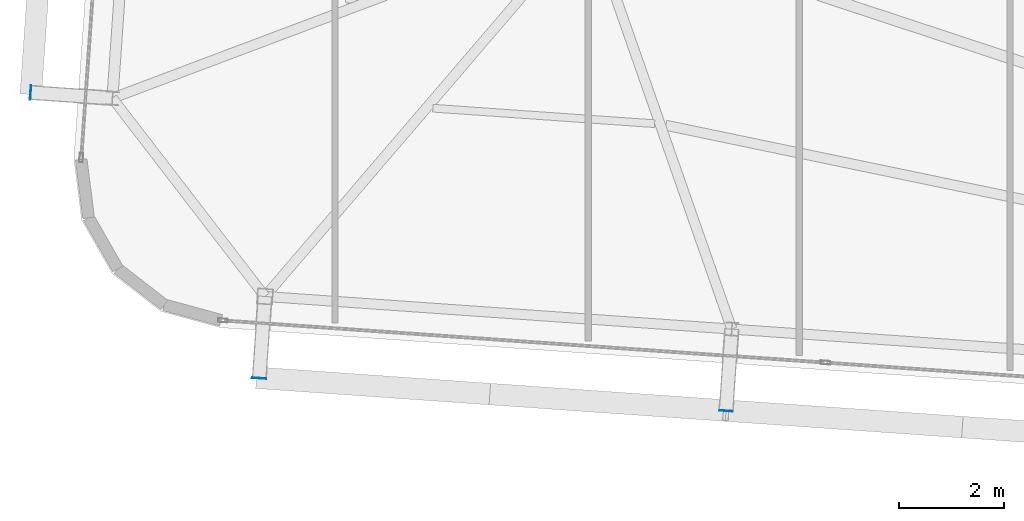
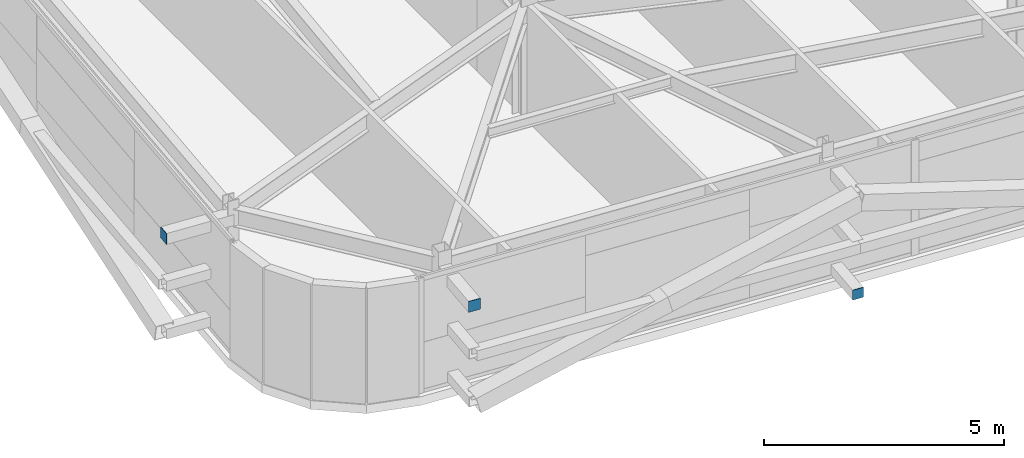
# One storey, part 27 of 39: 3 plates.
"""IFC4 building model written with IfcOpenShell, lengths in metres."""

from ifc_helpers import new_model, si_unit, direction, frame, origin, origin_2d, place, context, subcontext, project, spatial, rectangle, extrude, source, transform, mapped, material, layer, layer_set, type_object, element, save


model = new_model("IFC4")

# Units and contexts
model_context = context("Model", 3, precision=1e-05, world=origin(), true_north=direction((0.0, 1.0)))
body_context = subcontext(model_context, "Body", "Model", "MODEL_VIEW")
ifc_project = project(units=[si_unit("LENGTHUNIT", "METRE"), si_unit("AREAUNIT", "SQUARE_METRE"), si_unit("VOLUMEUNIT", "CUBIC_METRE"), si_unit("PLANEANGLEUNIT", "RADIAN"), si_unit("MASSUNIT", "GRAM", prefix="KILO")], contexts=[model_context])

# Site, building, storey
site_placement = place(None, origin())
site = spatial("IfcSite", under=ifc_project, at=site_placement, CompositionType="ELEMENT")
building_placement = place(site_placement, origin())
building = spatial("IfcBuilding", under=site, at=building_placement, Name="Taldren Reach Tower", CompositionType="ELEMENT")
storey_placement = place(building_placement, frame((0.0, 0.0, 158.199951171875)))
storey = spatial("IfcBuildingStorey", under=building, at=storey_placement, Name="L48", CompositionType="ELEMENT", Elevation=158.199951171875)

# Plates
ifc_material_1 = material(Name="Steel Gr 450 (C450L0)", Category="steel")
ifc_layer_1 = layer(ifc_material_1, 0.011962890625)
ifc_layer_set_1 = layer_set([ifc_layer_1], Name="Steel Gr 450 (C450L0)")
plate_type_1 = type_object("IfcPlateType", Name="PL-CAP-275", PredefinedType="SHEET", material=ifc_layer_set_1)
shared_shape_1 = source(origin(), body_context, "Body", "SweptSolid", [
    extrude(rectangle(XDim=0.27490234375, YDim=0.011962890625, at=origin_2d()), origin(), (0.0, 0.0, 1.0), 0.27490234375),
])
plate_1_placement = place(storey_placement, frame((11.755126953125, 3.7861328125, 2.5126953125), z_axis=(0.0, 0.0, 1.0), x_axis=(0.99756405026, -0.069756473744, 0.0)))
element("IfcPlate", 1, at=plate_1_placement, inside=storey, type_object=plate_type_1, Name="Tie strut end cap plate B3-S1 L48", PredefinedType="SHEET", context=body_context, shape_type="MappedRepresentation", body=[
    mapped(shared_shape_1, transform((0.0, 0.0, 0.0), scale=1.0)),
])
shared_shape_2 = source(origin(), body_context, "Body", "SweptSolid", [
    extrude(rectangle(XDim=0.011962890625, YDim=0.27490234375, at=origin_2d()), origin(), (0.0, 0.0, 1.0), 0.27490234375),
])
plate_2_placement = place(storey_placement, frame((7.416748046875, 9.2080078125, 2.5126953125), z_axis=(0.0, 0.0, 1.0), x_axis=(0.99756405026, -0.069756473744, 0.0)))
element("IfcPlate", 2, at=plate_2_placement, inside=storey, type_object=plate_type_1, Name="Tie strut end cap plate B3-W1 L48", PredefinedType="SHEET", context=body_context, shape_type="MappedRepresentation", body=[
    mapped(shared_shape_2, transform((0.0, 0.0, 0.0), scale=1.0)),
])
ifc_material_2 = material(Name="Steel Gr 350 (C350L0)", Category="steel")
ifc_layer_2 = layer(ifc_material_2, 0.011962890625)
ifc_layer_set_2 = layer_set([ifc_layer_2], Name="Steel Gr 350 (C350L0)")
plate_type_2 = type_object("IfcPlateType", Name="PL-CAP-250", PredefinedType="SHEET", material=ifc_layer_set_2)
shared_shape_3 = source(origin(), body_context, "Body", "SweptSolid", [
    extrude(rectangle(XDim=0.25, YDim=0.011962890625, at=origin_2d()), origin(), (0.0, 0.0, 1.0), 0.25),
])
plate_3_placement = place(storey_placement, frame((20.61328125, 3.166748046875, 0.094970703125), z_axis=(0.0, 0.0, 1.0), x_axis=(0.99756405026, -0.069756473744, 0.0)))
element("IfcPlate", 3, at=plate_3_placement, inside=storey, type_object=plate_type_2, Name="Tie strut end cap plate B3-S2 L48", PredefinedType="SHEET", context=body_context, shape_type="MappedRepresentation", body=[
    mapped(shared_shape_3, transform((0.0, 0.0, 0.0), scale=1.0)),
])

save(model, "model.ifc")
